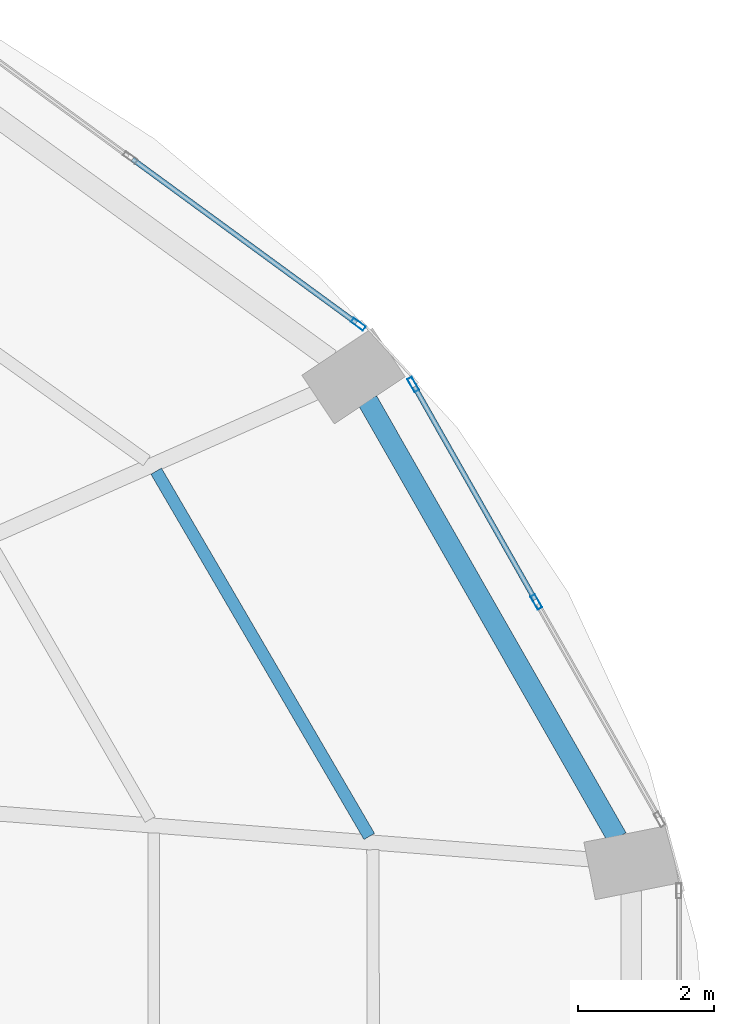
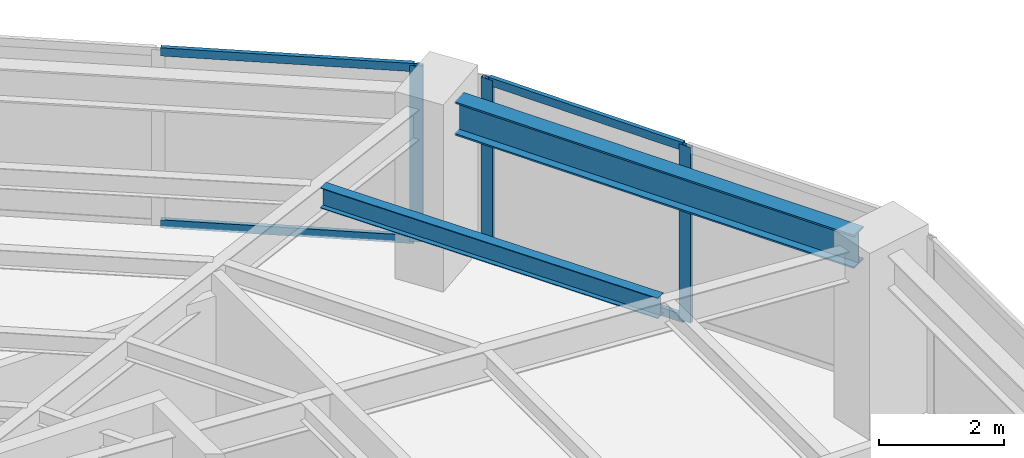
# One storey, part 18 of 24: 7 members, 2 beams, 2 elements without a shape of their own.
"""IFC4 building model written with IfcOpenShell, lengths in metres."""

from ifc_helpers import new_model, si_unit, direction, frame, origin, origin_2d, place, context, subcontext, project, spatial, hollow_rectangle, i_section, extrude, material, layer, layer_set, material_profile, profile_set, type_object, element, aggregate, save


model = new_model("IFC4")

# Units and contexts
model_context = context("Model", 3, precision=1e-05, world=origin(), true_north=direction((0.0, 1.0)))
body_context = subcontext(model_context, "Body", "Model", "MODEL_VIEW")
ifc_project = project(units=[si_unit("LENGTHUNIT", "METRE"), si_unit("AREAUNIT", "SQUARE_METRE"), si_unit("VOLUMEUNIT", "CUBIC_METRE"), si_unit("PLANEANGLEUNIT", "RADIAN"), si_unit("MASSUNIT", "GRAM", prefix="KILO")], contexts=[model_context])

# Site, building, storey
site_placement = place(None, origin())
site = spatial("IfcSite", under=ifc_project, at=site_placement, CompositionType="ELEMENT")
building_placement = place(site_placement, origin())
building = spatial("IfcBuilding", under=site, at=building_placement, Name="Lazwardi Medical Tower", CompositionType="ELEMENT")
storey_placement = place(building_placement, frame((0.0, 0.0, 39.7919921875)))
storey = spatial("IfcBuildingStorey", under=building, at=storey_placement, Name="L09", CompositionType="ELEMENT", Elevation=39.7919921875)

# Beams
ifc_material_1 = material(Name="Steel S355", Category="steel")
ifc_material_profile_1 = material_profile(ifc_material_1, i_section(OverallWidth=0.300048828125, OverallDepth=0.64990234375, WebThickness=0.01611328125, FlangeThickness=0.031005859375, at=origin_2d()), Name="HEB 650")
ifc_profile_set_1 = profile_set([ifc_material_profile_1], Name="Steel S355")
beam_type_1 = type_object("IfcBeamType", Name="BM-RB-Z1", PredefinedType="BEAM", material=ifc_profile_set_1)
beam_1_placement = place(storey_placement, frame((62.591796875, 34.63232421875, 3.10302734375), z_axis=(-0.49581512241, 0.868428099724, 0.0), x_axis=(-0.868428099724, -0.49581512241, 0.0)))
element("IfcBeam", 1, at=beam_1_placement, inside=storey, type_object=beam_type_1, Name="Ring beam RB-02 B05 L09", PredefinedType="BEAM", context=body_context, shape_type="SweptSolid", body=[
    extrude(i_section(OverallWidth=0.300048828125, OverallDepth=0.64990234375, WebThickness=0.01611328125, FlangeThickness=0.031005859375, at=origin_2d()), origin(), (0.0, 0.0, 1.0), 7.389404296875),
])
ifc_material_profile_2 = material_profile(ifc_material_1, i_section(OverallWidth=0.179931640625, OverallDepth=0.39990234375, WebThickness=0.008544921875, FlangeThickness=0.013427734375, at=origin_2d()), Name="IPE 400")
ifc_profile_set_2 = profile_set([ifc_material_profile_2], Name="Steel S355")
beam_type_2 = type_object("IfcBeamType", Name="BM-SJ-01", PredefinedType="JOIST", material=ifc_profile_set_2)
beam_2_placement = place(storey_placement, frame((58.951171875, 34.65234375, 3.22802734375), z_axis=(-0.503846579557, 0.863793160582, 0.0), x_axis=(-0.863793160582, -0.503846579557, 0.0)))
element("IfcBeam", 2, at=beam_2_placement, inside=storey, type_object=beam_type_2, Name="Secondary joist SJ-01 R1 B05 L09", PredefinedType="JOIST", context=body_context, shape_type="SweptSolid", body=[
    extrude(i_section(OverallWidth=0.179931640625, OverallDepth=0.39990234375, WebThickness=0.008544921875, FlangeThickness=0.013427734375, at=origin_2d()), origin(), (0.0, 0.0, 1.0), 6.20947265625),
])

# Curtain wall, members
ifc_material_2 = material(Name="Anodised bronze aluminium and solar control glazing", Category="aluminium")
ifc_layer = layer(ifc_material_2, 0.199951171875)
ifc_layer_set = layer_set([ifc_layer], Name="Anodised bronze aluminium and solar control glazing")
curtain_wall_type = type_object("IfcCurtainWallType", Name="CW-SYS-02", PredefinedType="NOTDEFINED", material=ifc_layer_set)
curtain_wall_1_placement = place(storey_placement, origin())
curtain_wall_1 = element("IfcCurtainWall", 3, at=curtain_wall_1_placement, inside=storey, type_object=curtain_wall_type, Name="L09 Unitised bronze curtain wall CW-02", PredefinedType="NOTDEFINED")
ifc_material_3 = material(Name="Anodised bronze aluminium", Category="aluminium")
ifc_material_profile_3 = material_profile(ifc_material_3, hollow_rectangle(XDim=0.074951171875, YDim=0.219970703125, WallThickness=0.00390625, at=origin_2d()), Name="ALU-MULLION 220x75x4")
ifc_profile_set_3 = profile_set([ifc_material_profile_3], Name="Anodised bronze aluminium")
member_type_1 = type_object("IfcMemberType", Name="CW-MUL-01", PredefinedType="MULLION", material=ifc_profile_set_3)
member_1_placement = place(storey_placement, frame((61.4052734375, 38.095458984375, 0.0), z_axis=(0.0, 0.0, 1.0), x_axis=(-0.870111838823, -0.492854327303, 0.0)))
member_1 = element("IfcMember", 4, at=member_1_placement, type_object=member_type_1, Name="CW-02 mullion 2", PredefinedType="MULLION", context=body_context, shape_type="SweptSolid", body=[
    extrude(hollow_rectangle(XDim=0.074951171875, YDim=0.219970703125, WallThickness=0.00390625, at=origin_2d()), origin(), (0.0, 0.0, 1.0), 3.427978515625),
])
member_2_placement = place(storey_placement, frame((59.5966796875, 41.28857421875, 0.0), z_axis=(0.0, 0.0, 1.0), x_axis=(-0.870111838823, -0.492854327303, 0.0)))
member_2 = element("IfcMember", 5, at=member_2_placement, type_object=member_type_1, Name="CW-02 mullion 3", PredefinedType="MULLION", context=body_context, shape_type="SweptSolid", body=[
    extrude(hollow_rectangle(XDim=0.074951171875, YDim=0.219970703125, WallThickness=0.00390625, at=origin_2d()), origin(), (0.0, 0.0, 1.0), 3.427978515625),
])

# Curtain wall, member
curtain_wall_2_placement = place(storey_placement, origin())
curtain_wall_2 = element("IfcCurtainWall", 6, at=curtain_wall_2_placement, inside=storey, type_object=curtain_wall_type, Name="L09 Unitised bronze curtain wall CW-02", PredefinedType="NOTDEFINED")
member_3_placement = place(storey_placement, frame((58.790283203125, 42.172607421875, 0.0), z_axis=(0.0, 0.0, 1.0), x_axis=(-0.590289307341, -0.807191757663, 0.0)))
member_3 = element("IfcMember", 7, at=member_3_placement, type_object=member_type_1, Name="CW-02 mullion 1", PredefinedType="MULLION", context=body_context, shape_type="SweptSolid", body=[
    extrude(hollow_rectangle(XDim=0.074951171875, YDim=0.219970703125, WallThickness=0.00390625, at=origin_2d()), origin(), (0.0, 0.0, 1.0), 3.427978515625),
])

# Member
ifc_material_profile_4 = material_profile(ifc_material_3, hollow_rectangle(XDim=0.074951171875, YDim=0.159912109375, WallThickness=0.00390625, at=origin_2d()), Name="ALU-TRANSOM 160x75x4")
ifc_profile_set_4 = profile_set([ifc_material_profile_4], Name="Anodised bronze aluminium")
member_type_2 = type_object("IfcMemberType", Name="CW-TRN-01", PredefinedType="USERDEFINED", material=ifc_profile_set_4)
member_4_placement = place(storey_placement, frame((61.386962890625, 38.128173828125, 0.03759765625), z_axis=(-0.492880614687, 0.870096948429, 0.0), x_axis=(-0.870096948429, -0.492880614687, 0.0)))
member_4 = element("IfcMember", 8, at=member_4_placement, type_object=member_type_2, Name="CW-02 transom 2.1", ObjectType="TRANSOM", PredefinedType="USERDEFINED", context=body_context, shape_type="SweptSolid", body=[
    extrude(hollow_rectangle(XDim=0.074951171875, YDim=0.159912109375, WallThickness=0.00390625, at=origin_2d()), origin(), (0.0, 0.0, 1.0), 3.5947265625),
])

member_5_placement = place(storey_placement, frame((61.386962890625, 38.128173828125, 3.390625), z_axis=(-0.492880614687, 0.870096948429, 0.0), x_axis=(-0.870096948429, -0.492880614687, 0.0)))
member_5 = element("IfcMember", 9, at=member_5_placement, type_object=member_type_2, Name="CW-02 transom 2.2", ObjectType="TRANSOM", PredefinedType="USERDEFINED", context=body_context, shape_type="SweptSolid", body=[
    extrude(hollow_rectangle(XDim=0.074951171875, YDim=0.159912109375, WallThickness=0.00390625, at=origin_2d()), origin(), (0.0, 0.0, 1.0), 3.5947265625),
])

aggregate(curtain_wall_1, [member_1, member_2, member_4, member_5])

member_6_placement = place(storey_placement, frame((58.760009765625, 42.194580078125, 0.03759765625), z_axis=(-0.807189956199, 0.590291770748, 0.0), x_axis=(-0.590291770748, -0.807189956199, 0.0)))
member_6 = element("IfcMember", 10, at=member_6_placement, type_object=member_type_2, Name="CW-02 transom 1.1", ObjectType="TRANSOM", PredefinedType="USERDEFINED", context=body_context, shape_type="SweptSolid", body=[
    extrude(hollow_rectangle(XDim=0.074951171875, YDim=0.159912109375, WallThickness=0.00390625, at=origin_2d()), origin(), (0.0, 0.0, 1.0), 4.070068359375),
])

member_7_placement = place(storey_placement, frame((58.760009765625, 42.194580078125, 3.390625), z_axis=(-0.807189956199, 0.590291770748, 0.0), x_axis=(-0.590291770748, -0.807189956199, 0.0)))
member_7 = element("IfcMember", 11, at=member_7_placement, type_object=member_type_2, Name="CW-02 transom 1.2", ObjectType="TRANSOM", PredefinedType="USERDEFINED", context=body_context, shape_type="SweptSolid", body=[
    extrude(hollow_rectangle(XDim=0.074951171875, YDim=0.159912109375, WallThickness=0.00390625, at=origin_2d()), origin(), (0.0, 0.0, 1.0), 4.070068359375),
])

aggregate(curtain_wall_2, [member_3, member_6, member_7])

save(model, "model.ifc")
